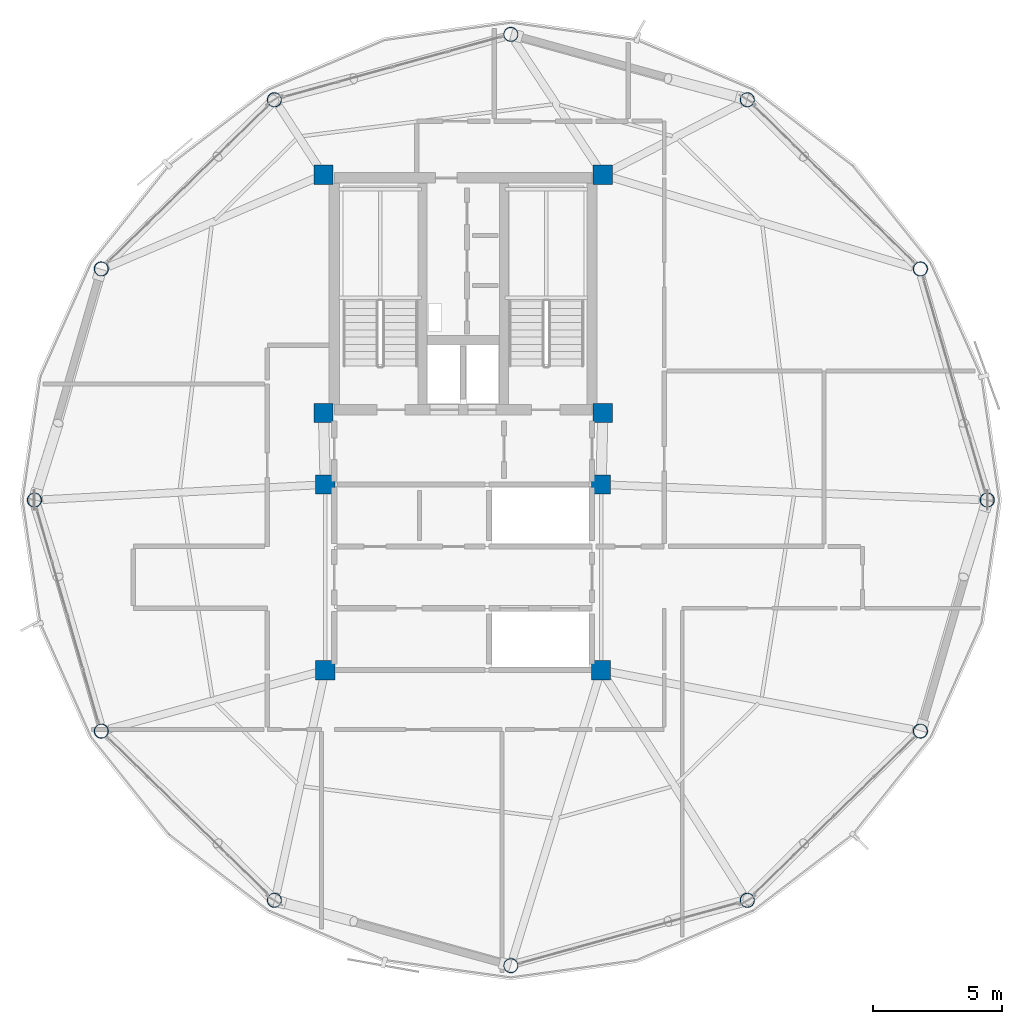
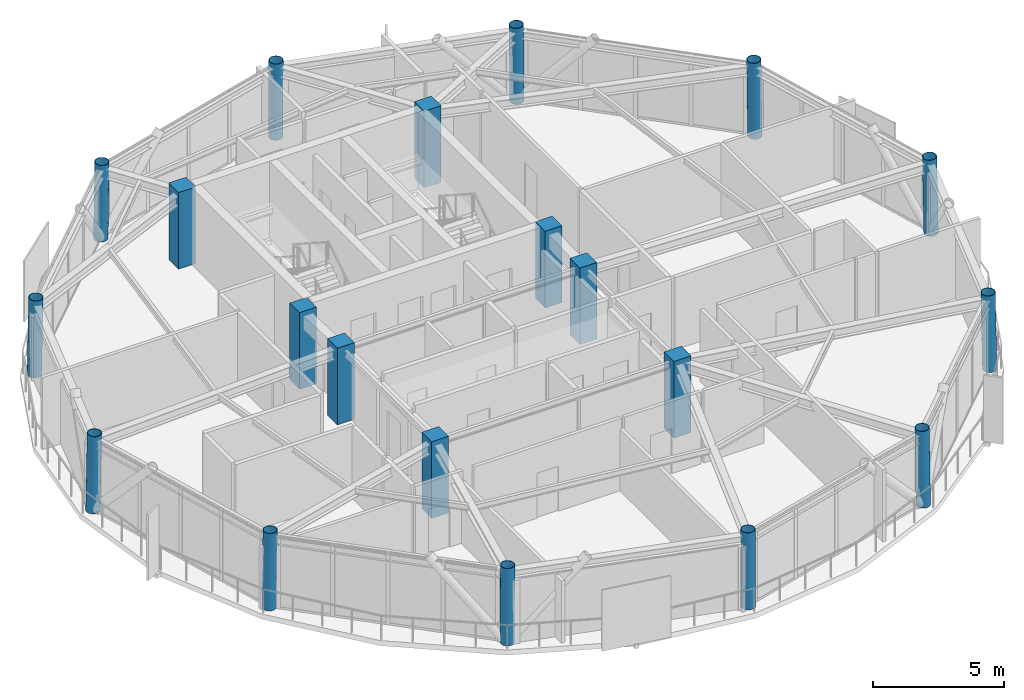
# One storey, part 1 of 27: 20 columns.
"""IFC4 building model written with IfcOpenShell, lengths in metres."""

import ifcopenshell
import ifcopenshell.guid

model = None  # the IFC model being written
_history = None  # IfcOwnerHistory: only IFC2X3 demands one
_inside = {}  # id of a spatial element -> (the spatial element, [elements in it])
_under = {}  # id of a project, library or spatial element -> (it, [spatial elements below it])
_declared = {}  # id of a project -> (the project, [libraries it declares])
_typed = {}  # id of a type object -> (the type object, [elements of that type])
_made_of = {}  # id of a material, layer set ... -> (it, [elements and type objects made of it])


def new_model(schema):
    """Start an empty IFC model of exactly this schema.

    Asked for "IFC4X3", IfcOpenShell would pick the latest addendum, in which some entities
    have other attributes; the version numbers below select the first issue.
    IFC2X3 requires an IfcOwnerHistory on every rooted entity: one is made here for all.
    """
    global model, _history
    if schema == "IFC4X3":
        model = ifcopenshell.file(schema_version=(4, 3, 0, 0))
    else:
        model = ifcopenshell.file(schema=schema)
    _inside.clear()
    _under.clear()
    _declared.clear()
    _typed.clear()
    _made_of.clear()
    _history = None
    if model.schema == "IFC2X3":
        org = make("IfcOrganization", Name="unknown")
        user = make(
            "IfcPersonAndOrganization",
            ThePerson=make("IfcPerson", FamilyName="unknown"),
            TheOrganization=org,
        )
        app = make(
            "IfcApplication",
            ApplicationDeveloper=org,
            Version="unknown",
            ApplicationFullName="unknown",
            ApplicationIdentifier="unknown",
        )
        _history = make(
            "IfcOwnerHistory",
            OwningUser=user,
            OwningApplication=app,
            ChangeAction="ADDED",
            CreationDate=0,
        )
    return model


def make(cls, **values):
    """One entity of the class cls with the attributes given. An attribute that is None is left unset."""
    return model.create_entity(
        cls, **{name: value for name, value in values.items() if value is not None}
    )


def rooted(cls, **values):
    """An entity with a GlobalId (a new one), such as an element, a storey or a relation."""
    return make(cls, GlobalId=ifcopenshell.guid.new(), OwnerHistory=_history, **values)


def si_unit(unit_type, name, prefix=None):
    """IfcSIUnit, for example si_unit("LENGTHUNIT", "METRE", prefix="MILLI")."""
    return make("IfcSIUnit", UnitType=unit_type, Prefix=prefix, Name=name)


def assignment(units):
    """IfcUnitAssignment: the units of a project."""
    return None if units is None else make("IfcUnitAssignment", Units=units)


def point(xyz):
    """IfcCartesianPoint."""
    return None if xyz is None else make("IfcCartesianPoint", Coordinates=xyz)


def direction(xyz):
    """IfcDirection."""
    return None if xyz is None else make("IfcDirection", DirectionRatios=xyz)


def frame(location, z_axis=None, x_axis=None):
    """IfcAxis2Placement3D, a coordinate frame: its origin and axes. An axis left out is left unset."""
    return make(
        "IfcAxis2Placement3D",
        Location=point(location),
        Axis=direction(z_axis),
        RefDirection=direction(x_axis),
    )


def frame_2d(location, x_axis=None):
    """IfcAxis2Placement2D, a coordinate frame in the plane: its origin and x axis."""
    return make(
        "IfcAxis2Placement2D", Location=point(location), RefDirection=direction(x_axis)
    )


def origin():
    """The frame at (0, 0, 0) with its axes left unset."""
    return frame((0.0, 0.0, 0.0))


def origin_2d():
    """The frame at (0, 0) in the plane with its x axis left unset."""
    return frame_2d((0.0, 0.0))


def place(relative_to, where):
    """IfcLocalPlacement: puts the frame where relative to a parent placement (None: the world)."""
    return make(
        "IfcLocalPlacement", PlacementRelTo=relative_to, RelativePlacement=where
    )


def context(
    kind, dimensions, precision=None, world=None, true_north=None, identifier=None
):
    """IfcGeometricRepresentationContext, for example the 3D "Model" context."""
    return make(
        "IfcGeometricRepresentationContext",
        ContextIdentifier=identifier,
        ContextType=kind,
        CoordinateSpaceDimension=dimensions,
        Precision=precision,
        WorldCoordinateSystem=world,
        TrueNorth=true_north,
    )


def subcontext(parent, identifier, kind, view, scale=None):
    """IfcGeometricRepresentationSubContext, for example "Body" below "Model"."""
    return make(
        "IfcGeometricRepresentationSubContext",
        ContextIdentifier=identifier,
        ContextType=kind,
        ParentContext=parent,
        TargetScale=scale,
        TargetView=view,
    )


def project(units=None, contexts=None):
    """IfcProject with its units and contexts."""
    return rooted(
        "IfcProject",
        Name="project",
        RepresentationContexts=contexts,
        UnitsInContext=assignment(units),
    )


def spatial(cls, under=None, at=None, **own):
    """A site, building, storey or space (cls), placed at a placement, below another one or the project."""
    s = rooted(cls, ObjectPlacement=at, **own)
    if under is not None:
        _under.setdefault(under.id(), (under, []))[1].append(s)
    return s


def profile(cls, at=None, kind="AREA", **sizes):
    """A parametric profile (cls). Its sizes go by their IFC names, for example OverallWidth=200.0."""
    return make(cls, ProfileType=kind, Position=at, **sizes)


def rectangle(**sizes):
    """IfcRectangleProfileDef."""
    return profile("IfcRectangleProfileDef", **sizes)


def hollow_circle(**sizes):
    """IfcCircleHollowProfileDef."""
    return profile("IfcCircleHollowProfileDef", **sizes)


def extrude(swept, where, along, depth):
    """IfcExtrudedAreaSolid: the profile swept, set in the frame where, extruded along a direction by depth."""
    return make(
        "IfcExtrudedAreaSolid",
        SweptArea=swept,
        Position=where,
        ExtrudedDirection=direction(along),
        Depth=depth,
    )


def shape(context_of_items, identifier, shape_type, items):
    """IfcShapeRepresentation: the items that make up one representation, for example the "Body"."""
    return make(
        "IfcShapeRepresentation",
        ContextOfItems=context_of_items,
        RepresentationIdentifier=identifier,
        RepresentationType=shape_type,
        Items=items,
    )


def material(Name=None, Category=None):
    """IfcMaterial."""
    return make("IfcMaterial", Name=Name, Category=Category)


def material_profile(
    of_material, cross_section, Name=None, Category=None, Priority=None
):
    """IfcMaterialProfile: a cross section and its material."""
    return make(
        "IfcMaterialProfile",
        Name=Name,
        Material=of_material,
        Profile=cross_section,
        Priority=Priority,
        Category=Category,
    )


def profile_set(profiles, Name=None, composite=None):
    """IfcMaterialProfileSet."""
    return make(
        "IfcMaterialProfileSet",
        Name=Name,
        MaterialProfiles=profiles,
        CompositeProfile=composite,
    )


def made_of(thing, what):
    """Note that an element or type object is made of a material, layer set ...; save() writes the relation."""
    if what is not None:
        _made_of.setdefault(what.id(), (what, []))[1].append(thing)
    return thing


def type_object(cls, material=None, **own):
    """A type object (cls), such as IfcWallType, which elements share."""
    return made_of(rooted(cls, **own), material)


def element(
    cls,
    number,
    at=None,
    inside=None,
    cuts=None,
    type_object=None,
    material=None,
    context=None,
    identifier="Body",
    shape_type=None,
    held_by="IfcProductDefinitionShape",
    body=None,
    shapes=None,
    **own,
):
    """One element of the class cls, such as IfcWall. Its Tag is "e" and its number.

    at: its placement. inside: the storey or other place that contains it. cuts: it is an
    opening in that element (IfcRelVoidsElement). A single representation is given by context,
    identifier, shape_type and body (its items); several are given by shapes. held_by: the class
    of the entity that holds the representations. save() writes the other relations.
    """
    e = rooted(cls, Tag="e%d" % number, ObjectPlacement=at, **own)
    if body is not None:
        shapes = [shape(context, identifier, shape_type, body)]
    if shapes is not None:
        e.Representation = make(held_by, Representations=shapes)
    if inside is not None:
        _inside.setdefault(inside.id(), (inside, []))[1].append(e)
    if cuts is not None:
        rooted(
            "IfcRelVoidsElement", RelatingBuildingElement=cuts, RelatedOpeningElement=e
        )
    if type_object is not None:
        _typed.setdefault(type_object.id(), (type_object, []))[1].append(e)
    return made_of(e, material)


def aggregate(whole, parts):
    """IfcRelAggregates: a whole, such as a stair, and the parts it consists of."""
    return rooted("IfcRelAggregates", RelatingObject=whole, RelatedObjects=parts)


def save(model, path):
    """Write the relations noted so far, then the file.

    IfcRelAggregates (storeys below a building ...), IfcRelContainedInSpatialStructure (elements
    in a storey), IfcRelDefinesByType, IfcRelAssociatesMaterial and IfcRelDeclares: one each for
    every whole, place, type object, material and project.
    """
    for whole, parts in _under.values():
        aggregate(whole, parts)
    for where, things in _inside.values():
        rooted(
            "IfcRelContainedInSpatialStructure",
            RelatedElements=things,
            RelatingStructure=where,
        )
    for kind, things in _typed.values():
        rooted("IfcRelDefinesByType", RelatedObjects=things, RelatingType=kind)
    for what, things in _made_of.values():
        rooted("IfcRelAssociatesMaterial", RelatedObjects=things, RelatingMaterial=what)
    for by, libraries in _declared.values():
        rooted("IfcRelDeclares", RelatingContext=by, RelatedDefinitions=libraries)
    model.write(path)


model = new_model("IFC4")

# Units and contexts
model_context = context("Model", 3, precision=1e-05, world=origin(), true_north=direction((0.0, 1.0)))
body_context = subcontext(model_context, "Body", "Model", "MODEL_VIEW")
ifc_project = project(units=[si_unit("LENGTHUNIT", "METRE"), si_unit("AREAUNIT", "SQUARE_METRE"), si_unit("VOLUMEUNIT", "CUBIC_METRE"), si_unit("PLANEANGLEUNIT", "RADIAN"), si_unit("MASSUNIT", "GRAM", prefix="KILO")], contexts=[model_context])

# Site, building, storey
site_placement = place(None, origin())
site = spatial("IfcSite", under=ifc_project, at=site_placement, CompositionType="ELEMENT")
building_placement = place(site_placement, origin())
building = spatial("IfcBuilding", under=site, at=building_placement, Name="Varnakorn Sky Granary", CompositionType="ELEMENT")
storey_placement = place(building_placement, frame((0.0, 0.0, 249.0)))
storey = spatial("IfcBuildingStorey", under=building, at=storey_placement, Name="L63", CompositionType="ELEMENT", Elevation=249.0)

# Columns
ifc_material_1 = material(Name="Steel S460M", Category="steel")
ifc_material_profile_1 = material_profile(ifc_material_1, hollow_circle(Radius=0.279541015625, WallThickness=0.02001953125, at=origin_2d()), Name="CHS 559x20")
ifc_profile_set_1 = profile_set([ifc_material_profile_1], Name="Steel S460M")
column_type_1 = type_object("IfcColumnType", Name="COL-DC-Z5", PredefinedType="COLUMN", material=ifc_profile_set_1)
column_1_placement = place(storey_placement, frame((23.344970703125, 0.0, 0.0), z_axis=(-0.018981760075, 0.0, 0.999819830162), x_axis=(0.0, -1.0, 0.0)))
element("IfcColumn", 1, at=column_1_placement, inside=storey, type_object=column_type_1, Name="Drum Perimeter Column DC01 L63", PredefinedType="COLUMN", context=body_context, shape_type="SweptSolid", body=[
    extrude(hollow_circle(Radius=0.279541015625, WallThickness=0.02001953125, at=origin_2d()), origin(), (0.0, 0.0, 1.0), 3.57568359375),
])
column_2_placement = place(storey_placement, frame((20.750244140625, 8.968994140625, 0.0), z_axis=(-0.016455959383, -0.00477973924, 0.999853166967), x_axis=(0.278928739366, -0.960311802674, 0.0)))
element("IfcColumn", 2, at=column_2_placement, inside=storey, type_object=column_type_1, Name="Drum Perimeter Column DC02 L63", PredefinedType="COLUMN", context=body_context, shape_type="SweptSolid", body=[
    extrude(hollow_circle(Radius=0.279541015625, WallThickness=0.02001953125, at=origin_2d()), origin(), (0.0, 0.0, 1.0), 3.575439453125),
])
for number, where, z_axis, x_axis, name in (
    (3, (14.030029296875, 15.534912109375, 0.0), (-0.00949183863, -0.008262679671, 0.999920813427), (0.656581650754, -0.754254954172, 0.0), "Drum Perimeter Column DC03 L63"),
    (4, (4.85009765625, 18.072998046875, 0.0), (0.0, -0.00949216266, 0.999954948409), (1.0, 0.0, 0.0), "Drum Perimeter Column DC04 L63"),
    (5, (-4.330078125, 15.534912109375, 0.0), (0.009560119021, -0.008262674296, 0.999920162982), (0.653901224294, 0.756579928935, 0.0), "Drum Perimeter Column DC05 L63"),
):
    element("IfcColumn", number, at=place(storey_placement, frame(where, z_axis=z_axis, x_axis=x_axis)), inside=storey, type_object=column_type_1, Name=name, PredefinedType="COLUMN", context=body_context, shape_type="SweptSolid", body=[
        extrude(hollow_circle(Radius=0.279541015625, WallThickness=0.02001953125, at=origin_2d()), origin(), (0.0, 0.0, 1.0), 3.5751953125),
    ])
column_3_placement = place(storey_placement, frame((-11.05029296875, 8.968994140625, 0.0), z_axis=(0.016524222766, -0.004779733858, 0.999852041157), x_axis=(0.277865302681, 0.960620046411, 0.0)))
element("IfcColumn", 6, at=column_3_placement, inside=storey, type_object=column_type_1, Name="Drum Perimeter Column DC06 L63", PredefinedType="COLUMN", context=body_context, shape_type="SweptSolid", body=[
    extrude(hollow_circle(Radius=0.279541015625, WallThickness=0.02001953125, at=origin_2d()), origin(), (0.0, 0.0, 1.0), 3.575439453125),
])
column_4_placement = place(storey_placement, frame((-13.64501953125, 0.0, 0.0), z_axis=(0.019050015053, 0.0, 0.999818531998), x_axis=(0.0, 1.0, 0.0)))
element("IfcColumn", 7, at=column_4_placement, inside=storey, type_object=column_type_1, Name="Drum Perimeter Column DC07 L63", PredefinedType="COLUMN", context=body_context, shape_type="SweptSolid", body=[
    extrude(hollow_circle(Radius=0.279541015625, WallThickness=0.02001953125, at=origin_2d()), origin(), (0.0, 0.0, 1.0), 3.57568359375),
])
column_5_placement = place(storey_placement, frame((-11.05029296875, -8.968994140625, 0.0), z_axis=(0.016524222766, 0.004779733858, 0.999852041157), x_axis=(-0.277865302681, 0.960620046411, 0.0)))
element("IfcColumn", 8, at=column_5_placement, inside=storey, type_object=column_type_1, Name="Drum Perimeter Column DC08 L63", PredefinedType="COLUMN", context=body_context, shape_type="SweptSolid", body=[
    extrude(hollow_circle(Radius=0.279541015625, WallThickness=0.02001953125, at=origin_2d()), origin(), (0.0, 0.0, 1.0), 3.575439453125),
])
for number, where, z_axis, x_axis, name in (
    (9, (-4.330078125, -15.534912109375, 0.0), (0.009560119021, 0.008262674296, 0.999920162982), (-0.653901224294, 0.756579928935, 0.0), "Drum Perimeter Column DC09 L63"),
    (10, (4.85009765625, -18.072998046875, 0.0), (0.0, 0.00949216266, 0.999954948409), (-1.0, 0.0, 0.0), "Drum Perimeter Column DC10 L63"),
    (11, (14.030029296875, -15.534912109375, 0.0), (-0.00949183863, 0.008262679671, 0.999920813427), (-0.656581650754, -0.754254954172, 0.0), "Drum Perimeter Column DC11 L63"),
):
    element("IfcColumn", number, at=place(storey_placement, frame(where, z_axis=z_axis, x_axis=x_axis)), inside=storey, type_object=column_type_1, Name=name, PredefinedType="COLUMN", context=body_context, shape_type="SweptSolid", body=[
        extrude(hollow_circle(Radius=0.279541015625, WallThickness=0.02001953125, at=origin_2d()), origin(), (0.0, 0.0, 1.0), 3.5751953125),
    ])
column_6_placement = place(storey_placement, frame((20.750244140625, -8.968994140625, 0.0), z_axis=(-0.016455959383, 0.00477973924, 0.999853166967), x_axis=(-0.278928739366, -0.960311802674, 0.0)))
element("IfcColumn", 12, at=column_6_placement, inside=storey, type_object=column_type_1, Name="Drum Perimeter Column DC12 L63", PredefinedType="COLUMN", context=body_context, shape_type="SweptSolid", body=[
    extrude(hollow_circle(Radius=0.279541015625, WallThickness=0.02001953125, at=origin_2d()), origin(), (0.0, 0.0, 1.0), 3.575439453125),
])
ifc_material_2 = material(Name="Concrete C50/60", Category="concrete")
ifc_material_profile_2 = material_profile(ifc_material_2, rectangle(XDim=0.75, YDim=0.75, at=origin_2d()), Name="RC 750x750")
ifc_profile_set_2 = profile_set([ifc_material_profile_2], Name="Concrete C50/60")
column_type_2 = type_object("IfcColumnType", Name="COL-MC-Z5", PredefinedType="COLUMN", material=ifc_profile_set_2)
for number, where, z_axis, x_axis, name in (
    (13, (-2.419921875, 12.6201171875, 0.0), (0.0, 0.0, 1.0), (1.0, 0.0, 0.0), "Backbone Mega-Column MC1 L63"),
    (14, (8.419921875, 12.6201171875, 0.0), (0.0, 0.0, 1.0), (1.0, 0.0, 0.0), "Backbone Mega-Column MC2 L63"),
    (15, (-2.419921875, 3.3798828125, 0.0), (0.0, 0.0, 1.0), (1.0, 0.0, 0.0), "Backbone Mega-Column MC3 L63"),
    (16, (8.419921875, 3.3798828125, 0.0), (0.0, 0.0, 1.0), (1.0, 0.0, 0.0), "Backbone Mega-Column MC4 L63"),
    (17, (-2.35009765625, 0.60009765625, 0.0), (0.0, 0.0, 1.0), (1.0, 0.0, 0.0), "Backbone Mega-Column MC5 L63"),
    (18, (8.35009765625, 0.60009765625, 0.0), (0.0, 0.0, 1.0), (1.0, 0.0, 0.0), "Backbone Mega-Column MC6 L63"),
    (19, (-2.35009765625, -6.60009765625, 0.0), (0.0, 0.0, 1.0), (1.0, 0.0, 0.0), "Backbone Mega-Column MC7 L63"),
    (20, (8.35009765625, -6.60009765625, 0.0), (0.0, 0.0, 1.0), (1.0, 0.0, 0.0), "Backbone Mega-Column MC8 L63"),
):
    element("IfcColumn", number, at=place(storey_placement, frame(where, z_axis=z_axis, x_axis=x_axis)), inside=storey, type_object=column_type_2, Name=name, PredefinedType="COLUMN", context=body_context, shape_type="SweptSolid", body=[
        extrude(rectangle(XDim=0.75, YDim=0.75, at=origin_2d()), origin(), (0.0, 0.0, 1.0), 3.574951171875),
    ])

save(model, "model.ifc")
